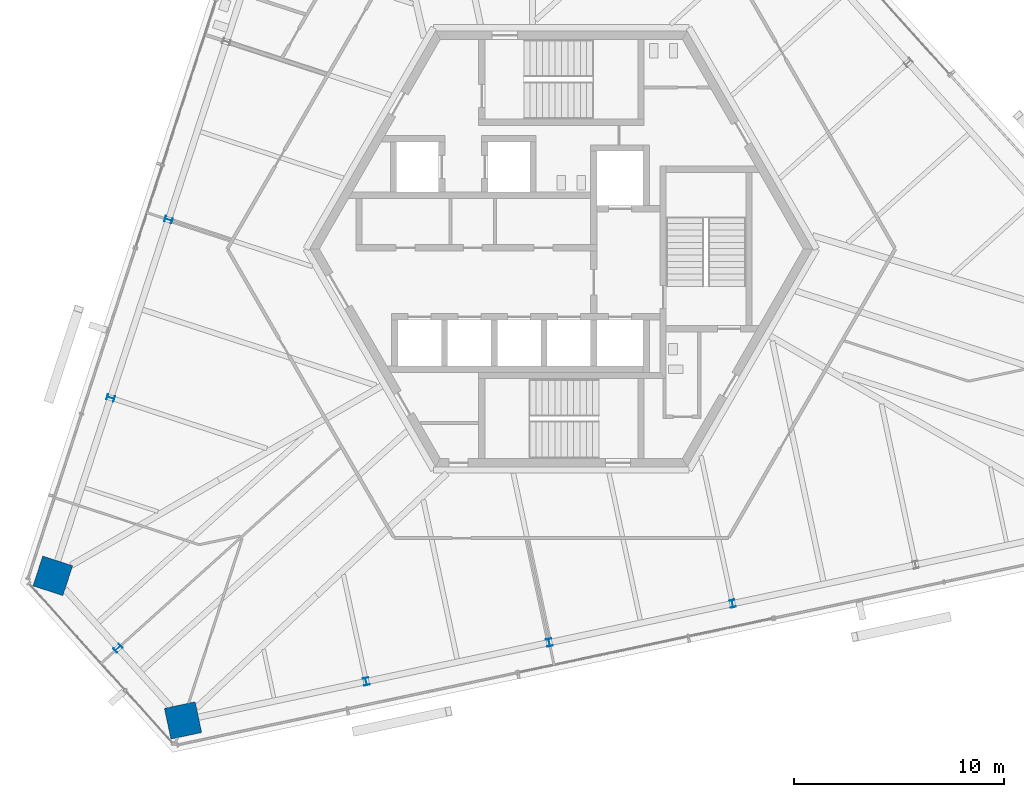
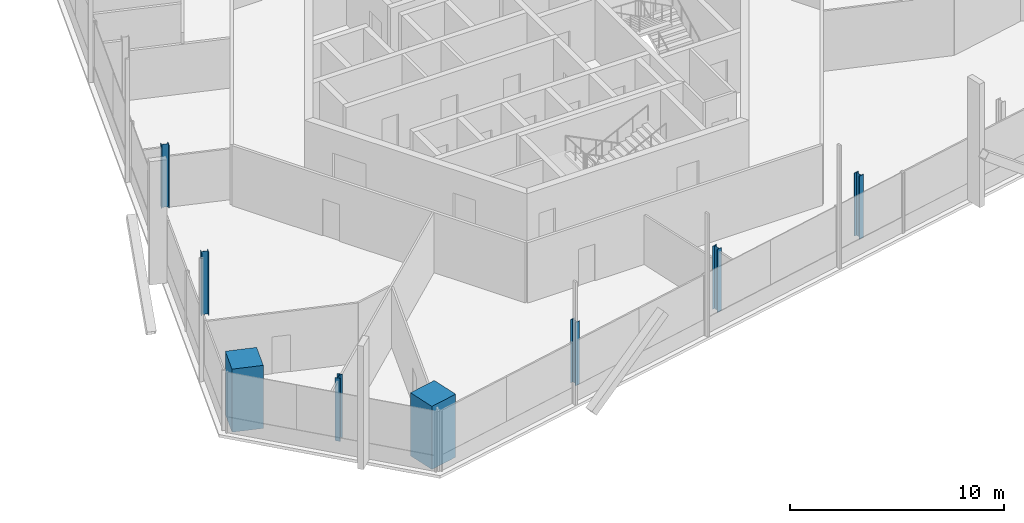
# One storey, part 1 of 16: 8 columns.
"""IFC4 building model written with IfcOpenShell, lengths in metres."""

from ifc_helpers import new_model, si_unit, direction, frame, origin, origin_2d, place, context, subcontext, project, spatial, rectangle, i_section, extrude, source, transform, mapped, material, material_profile, profile_set, type_object, element, save


model = new_model("IFC4")

# Units and contexts
model_context = context("Model", 3, precision=1e-05, world=origin(), true_north=direction((0.0, 1.0)))
body_context = subcontext(model_context, "Body", "Model", "MODEL_VIEW")
ifc_project = project(units=[si_unit("LENGTHUNIT", "METRE"), si_unit("AREAUNIT", "SQUARE_METRE"), si_unit("VOLUMEUNIT", "CUBIC_METRE"), si_unit("PLANEANGLEUNIT", "RADIAN"), si_unit("MASSUNIT", "GRAM", prefix="KILO")], contexts=[model_context])

# Site, building, storey
site_placement = place(None, origin())
site = spatial("IfcSite", under=ifc_project, at=site_placement, CompositionType="ELEMENT")
building_placement = place(site_placement, origin())
building = spatial("IfcBuilding", under=site, at=building_placement, Name="Triune Harvest Tower", CompositionType="ELEMENT")
storey_placement = place(building_placement, frame((0.0, 0.0, 266.699951171875)))
storey = spatial("IfcBuildingStorey", under=building, at=storey_placement, Name="L70", CompositionType="ELEMENT", Elevation=266.699951171875)

# Columns
ifc_material_1 = material(Name="Concrete 70 MPa", Category="concrete")
ifc_material_profile_1 = material_profile(ifc_material_1, rectangle(XDim=1.5, YDim=1.5, at=origin_2d()), Name="Composite 1500x1500")
ifc_profile_set_1 = profile_set([ifc_material_profile_1], Name="Concrete 70 MPa")
column_type_1 = type_object("IfcColumnType", Name="MC-7 Mega column Composite 1500x1500", PredefinedType="COLUMN", material=ifc_profile_set_1)
shared_shape_1 = source(origin(), body_context, "Body", "SweptSolid", [
    extrude(rectangle(XDim=1.5, YDim=1.5, at=origin_2d()), origin(), (0.0, 0.0, 1.0), 3.60009765625),
])
for number, where, z_axis, x_axis, name in (
    (1, (-24.24853515625, -15.58984375, 0.0), (0.0, 0.0, 1.0), (-0.309015334468, -0.95105705563, 0.0), "col/L70/M12"),
    (2, (-18.0390625, -22.486083984375, 0.0), (0.0, 0.0, 1.0), (0.978147237858, 0.207913398007, 0.0), "col/L70/M14"),
):
    element("IfcColumn", number, at=place(storey_placement, frame(where, z_axis=z_axis, x_axis=x_axis)), inside=storey, type_object=column_type_1, Name=name, PredefinedType="COLUMN", context=body_context, shape_type="MappedRepresentation", body=[
        mapped(shared_shape_1, transform((0.0, 0.0, 0.0), scale=1.0)),
    ])
ifc_material_2 = material(Name="Steel ASTM A992 Gr 50", Category="steel")
ifc_material_profile_2 = material_profile(ifc_material_2, i_section(OverallWidth=0.256591796875, OverallDepth=0.360595703125, WebThickness=0.011474609375, FlangeThickness=0.02001953125, at=origin_2d()), Name="W14x74")
ifc_profile_set_2 = profile_set([ifc_material_profile_2], Name="Steel ASTM A992 Gr 50")
column_type_2 = type_object("IfcColumnType", Name="PC-7 Perimeter column W14x74", PredefinedType="COLUMN", material=ifc_profile_set_2)
shared_shape_2 = source(origin(), body_context, "Body", "SweptSolid", [
    extrude(i_section(OverallWidth=0.256591796875, OverallDepth=0.360595703125, WebThickness=0.011474609375, FlangeThickness=0.02001953125, at=origin_2d()), origin(), (0.0, 0.0, 1.0), 3.60009765625),
])
for number, where, z_axis, x_axis, name in (
    (3, (-18.730712890625, 1.392333984375, 0.0), (0.0, 0.0, 1.0), (-0.309015334468, -0.95105705563, 0.0), "col/L70/P10"),
    (4, (-21.48974609375, -7.098876953125, 0.0), (0.0, 0.0, 1.0), (-0.309015334468, -0.95105705563, 0.0), "col/L70/P11"),
    (5, (-21.143798828125, -19.0380859375, 0.0), (0.0, 0.0, 1.0), (0.669129309325, -0.743145993329, 0.0), "col/L70/P13"),
    (6, (-9.30615234375, -20.6298828125, 0.0), (0.0, 0.0, 1.0), (0.978147237858, 0.207913398007, 0.0), "col/L70/P15"),
    (7, (-0.5732421875, -18.773681640625, 0.0), (0.0, 0.0, 1.0), (0.978147237858, 0.207913398007, 0.0), "col/L70/P16"),
    (8, (8.15966796875, -16.91748046875, 0.0), (0.0, 0.0, 1.0), (0.978147237858, 0.207913398007, 0.0), "col/L70/P17"),
):
    element("IfcColumn", number, at=place(storey_placement, frame(where, z_axis=z_axis, x_axis=x_axis)), inside=storey, type_object=column_type_2, Name=name, PredefinedType="COLUMN", context=body_context, shape_type="MappedRepresentation", body=[
        mapped(shared_shape_2, transform((0.0, 0.0, 0.0), scale=1.0)),
    ])

save(model, "model.ifc")
